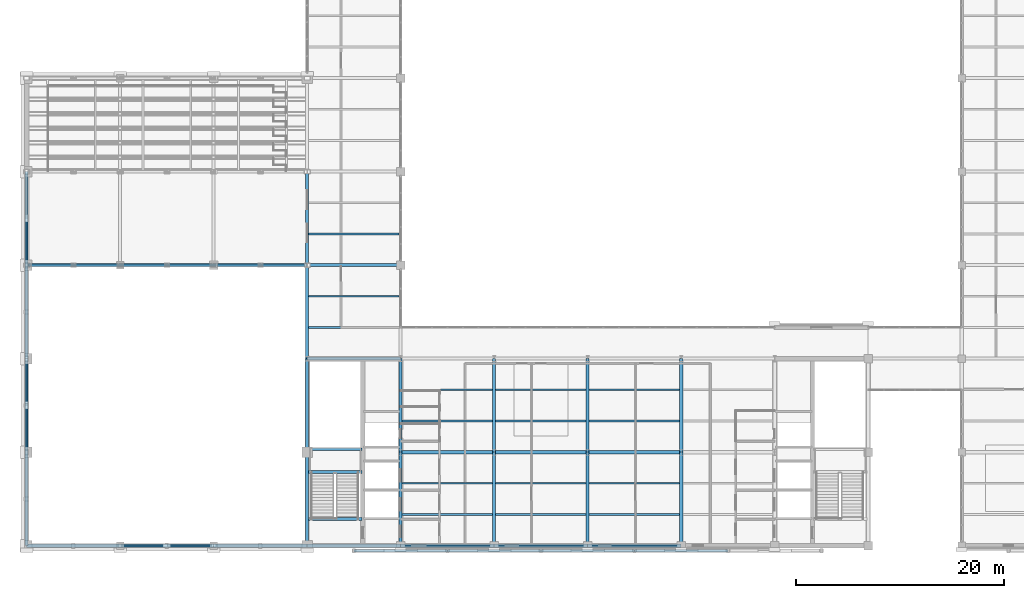
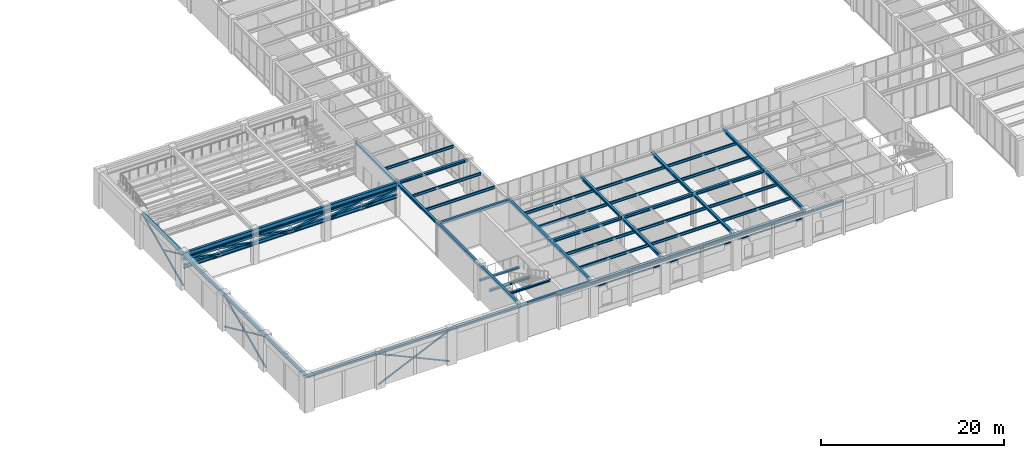
# One storey, part 15 of 92: 54 beams, 16 members.
"""IFC4 building model written with IfcOpenShell, lengths in metres."""

from ifc_helpers import new_model, si_unit, direction, frame, origin, origin_2d, place, context, subcontext, project, spatial, hollow_rectangle, hollow_circle, i_section, extrude, material, material_profile, profile_set, type_object, element, save


model = new_model("IFC4")

# Units and contexts
model_context = context("Model", 3, precision=1e-05, world=origin(), true_north=direction((0.0, 1.0)))
body_context = subcontext(model_context, "Body", "Model", "MODEL_VIEW")
ifc_project = project(units=[si_unit("LENGTHUNIT", "METRE"), si_unit("AREAUNIT", "SQUARE_METRE"), si_unit("VOLUMEUNIT", "CUBIC_METRE"), si_unit("PLANEANGLEUNIT", "RADIAN"), si_unit("MASSUNIT", "GRAM", prefix="KILO")], contexts=[model_context])

# Site, building, storey
site_placement = place(None, origin())
site = spatial("IfcSite", under=ifc_project, at=site_placement, CompositionType="ELEMENT")
building_placement = place(site_placement, origin())
building = spatial("IfcBuilding", under=site, at=building_placement, Name="Lykobir Media Centre", CompositionType="ELEMENT")
storey_placement = place(building_placement, frame((0.0, 0.0, 5.39990234375)))
storey = spatial("IfcBuildingStorey", under=building, at=storey_placement, Name="L01", CompositionType="ELEMENT", Elevation=5.39990234375)

# Beams
ifc_material = material(Name="Steel S355", Category="steel")
ifc_material_profile_1 = material_profile(ifc_material, i_section(OverallWidth=0.300048828125, OverallDepth=0.35009765625, WebThickness=0.010009765625, FlangeThickness=0.017578125, at=origin_2d()), Name="HEA 360")
ifc_profile_set_1 = profile_set([ifc_material_profile_1], Name="Steel S355")
beam_type_1 = type_object("IfcBeamType", Name="BM-HEA360", PredefinedType="BEAM", material=ifc_profile_set_1)
for number, where, z_axis, x_axis, name in (
    (1, (36.0, 0.0, 4.385009765625), (0.0, 1.0, 0.0), (-1.0, 0.0, 0.0), "Beam BM-L01-0360-0000-0360-0090-978"),
    (2, (36.0, 9.0, 4.385009765625), (0.0, 1.0, 0.0), (-1.0, 0.0, 0.0), "Beam BM-L01-0360-0090-0360-0180-978"),
    (3, (45.0, 0.0, 4.385009765625), (0.0, 1.0, 0.0), (-1.0, 0.0, 0.0), "Beam BM-L01-0450-0000-0450-0090-978"),
    (4, (45.0, 9.0, 4.385009765625), (0.0, 1.0, 0.0), (-1.0, 0.0, 0.0), "Beam BM-L01-0450-0090-0450-0180-978"),
    (5, (54.0, 0.0, 4.385009765625), (0.0, 1.0, 0.0), (-1.0, 0.0, 0.0), "Beam BM-L01-0540-0000-0540-0090-978"),
    (6, (54.0, 9.0, 4.385009765625), (0.0, 1.0, 0.0), (-1.0, 0.0, 0.0), "Beam BM-L01-0540-0090-0540-0180-978"),
    (7, (63.0, 0.0, 4.385009765625), (0.0, 1.0, 0.0), (-1.0, 0.0, 0.0), "Beam BM-L01-0630-0000-0630-0090-978"),
    (8, (63.0, 9.0, 4.385009765625), (0.0, 1.0, 0.0), (-1.0, 0.0, 0.0), "Beam BM-L01-0630-0090-0630-0180-978"),
):
    element("IfcBeam", number, at=place(storey_placement, frame(where, z_axis=z_axis, x_axis=x_axis)), inside=storey, type_object=beam_type_1, Name=name, PredefinedType="BEAM", context=body_context, shape_type="SweptSolid", body=[
        extrude(i_section(OverallWidth=0.300048828125, OverallDepth=0.35009765625, WebThickness=0.010009765625, FlangeThickness=0.017578125, at=origin_2d()), origin(), (0.0, 0.0, 1.0), 9.0),
    ])
ifc_material_profile_2 = material_profile(ifc_material, i_section(OverallWidth=0.300048828125, OverallDepth=0.389892578125, WebThickness=0.010986328125, FlangeThickness=0.01904296875, at=origin_2d()), Name="HEA 400")
ifc_profile_set_2 = profile_set([ifc_material_profile_2], Name="Steel S355")
beam_type_2 = type_object("IfcBeamType", Name="BM-HEA400", PredefinedType="BEAM", material=ifc_profile_set_2)
for number, where, z_axis, x_axis, name in (
    (9, (36.0, 9.0, 4.364990234375), (1.0, 0.0, 0.0), (0.0, 1.0, 0.0), "Beam BM-L01-0360-0090-0450-0090-976"),
    (10, (45.0, 9.0, 4.364990234375), (1.0, 0.0, 0.0), (0.0, 1.0, 0.0), "Beam BM-L01-0450-0090-0540-0090-976"),
    (11, (54.0, 9.0, 4.364990234375), (1.0, 0.0, 0.0), (0.0, 1.0, 0.0), "Beam BM-L01-0540-0090-0630-0090-976"),
):
    element("IfcBeam", number, at=place(storey_placement, frame(where, z_axis=z_axis, x_axis=x_axis)), inside=storey, type_object=beam_type_2, Name=name, PredefinedType="BEAM", context=body_context, shape_type="SweptSolid", body=[
        extrude(i_section(OverallWidth=0.300048828125, OverallDepth=0.389892578125, WebThickness=0.010986328125, FlangeThickness=0.01904296875, at=origin_2d()), origin(), (0.0, 0.0, 1.0), 9.0),
    ])
ifc_material_profile_3 = material_profile(ifc_material, i_section(OverallWidth=0.300048828125, OverallDepth=0.60009765625, WebThickness=0.015380859375, FlangeThickness=0.030029296875, at=origin_2d()), Name="HEB 600")
ifc_profile_set_3 = profile_set([ifc_material_profile_3], Name="Steel S355")
beam_type_3 = type_object("IfcBeamType", Name="BM-HEB600", PredefinedType="BEAM", material=ifc_profile_set_3)
beam_1_placement = place(storey_placement, frame((0.0, 27.0, 4.25), z_axis=(1.0, 0.0, 0.0), x_axis=(0.0, 1.0, 0.0)))
element("IfcBeam", 12, at=beam_1_placement, inside=storey, type_object=beam_type_3, Name="Beam BM-L01-0000-0270-0270-0270-965", PredefinedType="BEAM", context=body_context, shape_type="SweptSolid", body=[
    extrude(i_section(OverallWidth=0.300048828125, OverallDepth=0.60009765625, WebThickness=0.015380859375, FlangeThickness=0.030029296875, at=origin_2d()), origin(), (0.0, 0.0, 1.0), 27.0),
])
ifc_material_profile_4 = material_profile(ifc_material, i_section(OverallWidth=0.260009765625, OverallDepth=0.25, WebThickness=0.007568359375, FlangeThickness=0.012451171875, at=origin_2d()), Name="HEA 260")
ifc_profile_set_4 = profile_set([ifc_material_profile_4], Name="Steel S355")
beam_type_4 = type_object("IfcBeamType", Name="BM-ST260", PredefinedType="BEAM", material=ifc_profile_set_4)
beam_2_placement = place(storey_placement, frame((27.1298828125, 9.280029296875, 2.080078125), z_axis=(1.0, 0.0, 0.0), x_axis=(0.0, 1.0, 0.0)))
element("IfcBeam", 13, at=beam_2_placement, inside=storey, type_object=beam_type_4, Name="ST-1 L01 half-landing support beam", PredefinedType="BEAM", context=body_context, shape_type="SweptSolid", body=[
    extrude(i_section(OverallWidth=0.260009765625, OverallDepth=0.25, WebThickness=0.007568359375, FlangeThickness=0.012451171875, at=origin_2d()), origin(), (0.0, 0.0, 1.0), 5.14013671875),
])
ifc_material_profile_5 = material_profile(ifc_material, i_section(OverallWidth=0.280029296875, OverallDepth=0.27001953125, WebThickness=0.008056640625, FlangeThickness=0.012939453125, at=origin_2d()), Name="HEA 280")
ifc_profile_set_5 = profile_set([ifc_material_profile_5], Name="Steel S355")
beam_type_5 = type_object("IfcBeamType", Name="BM-ST280", PredefinedType="BEAM", material=ifc_profile_set_5)
for number, where, z_axis, x_axis, name in (
    (14, (27.1298828125, 2.580078125, 4.425048828125), (1.0, 0.0, 0.0), (0.0, 1.0, 0.0), "ST-1 L01 arrival trimmer beam"),
    (15, (27.1298828125, 7.080078125, 2.070068359375), (1.0, 0.0, 0.0), (0.0, 1.0, 0.0), "ST-1 L01 mid-landing trimmer beam"),
):
    element("IfcBeam", number, at=place(storey_placement, frame(where, z_axis=z_axis, x_axis=x_axis)), inside=storey, type_object=beam_type_5, Name=name, PredefinedType="BEAM", context=body_context, shape_type="SweptSolid", body=[
        extrude(i_section(OverallWidth=0.280029296875, OverallDepth=0.27001953125, WebThickness=0.008056640625, FlangeThickness=0.012939453125, at=origin_2d()), origin(), (0.0, 0.0, 1.0), 5.14013671875),
    ])

# Members
ifc_material_profile_6 = material_profile(ifc_material, hollow_circle(Radius=0.096923828125, WallThickness=0.010009765625, at=origin_2d()), Name="CHS 193.7x10.0")
ifc_profile_set_6 = profile_set([ifc_material_profile_6], Name="Steel S355")
member_type_1 = type_object("IfcMemberType", Name="BR-CHS194-E", PredefinedType="BRACE", material=ifc_profile_set_6)
for number, where, z_axis, x_axis, name in (
    (16, (0.0, 18.0, 0.1201171875), (0.0, -0.909254600078, 0.416240401976), (1.0, 0.0, 0.0), "Diagonal brace MEM2-L01-0000-0180-0055-0000-0136-0519"),
    (17, (0.0, 13.3544921875, 2.24658203125), (0.0, -0.909254600078, 0.416240401976), (1.0, 0.0, 0.0), "Diagonal brace MEM2-L01-0000-0134-0076-0000-0090-0520"),
    (18, (0.0, 31.3544921875, 2.24658203125), (0.0, -0.909254600078, 0.416240401976), (1.0, 0.0, 0.0), "Diagonal brace MEM2-L01-0000-0314-0076-0000-0270-0532"),
    (19, (18.0, 0.0, 0.1201171875), (-0.909254600078, 0.0, 0.416240401976), (0.0, -1.0, 0.0), "Diagonal brace MEM2-L01-0180-0000-0055-0136-0000-0555"),
    (20, (13.3544921875, 0.0, 2.24658203125), (-0.909254600078, 0.0, 0.416240401976), (0.0, -1.0, 0.0), "Diagonal brace MEM2-L01-0134-0000-0076-0090-0000-0556"),
):
    element("IfcMember", number, at=place(storey_placement, frame(where, z_axis=z_axis, x_axis=x_axis)), inside=storey, type_object=member_type_1, Name=name, PredefinedType="BRACE", context=body_context, shape_type="SweptSolid", body=[
        extrude(hollow_circle(Radius=0.096923828125, WallThickness=0.010009765625, at=origin_2d()), origin(), (0.0, 0.0, 1.0), 4.7890625),
    ])
ifc_material_profile_7 = material_profile(ifc_material, hollow_circle(Radius=0.109619140625, WallThickness=0.012451171875, at=origin_2d()), Name="CHS 219.1x12.5")
ifc_profile_set_7 = profile_set([ifc_material_profile_7], Name="Steel S355")
member_type_2 = type_object("IfcMemberType", Name="BR-CHS219-E", PredefinedType="BRACE", material=ifc_profile_set_7)
for number, where, z_axis, x_axis, name in (
    (21, (0.0, 9.0, 0.1201171875), (0.0, 0.909260911954, 0.416226613748), (-1.0, 0.0, 0.0), "Diagonal brace MEM2-L01-0000-0090-0055-0000-0180-0518"),
    (22, (0.0, 27.0, 0.1201171875), (0.0, 0.909260911954, 0.416226613748), (-1.0, 0.0, 0.0), "Diagonal brace MEM2-L01-0000-0270-0055-0000-0360-0530"),
    (23, (9.0, 0.0, 0.1201171875), (0.909260911954, 0.0, 0.416226613748), (0.0, 1.0, 0.0), "Diagonal brace MEM2-L01-0090-0000-0055-0180-0000-0554"),
):
    element("IfcMember", number, at=place(storey_placement, frame(where, z_axis=z_axis, x_axis=x_axis)), inside=storey, type_object=member_type_2, Name=name, PredefinedType="BRACE", context=body_context, shape_type="SweptSolid", body=[
        extrude(hollow_circle(Radius=0.109619140625, WallThickness=0.012451171875, at=origin_2d()), origin(), (0.0, 0.0, 1.0), 9.898193359375),
    ])
ifc_material_profile_8 = material_profile(ifc_material, hollow_rectangle(XDim=0.25, YDim=0.25, WallThickness=0.012451171875, at=origin_2d()), Name="SHS 250x250x12.5")
ifc_profile_set_8 = profile_set([ifc_material_profile_8], Name="Steel S355")
member_type_3 = type_object("IfcMemberType", Name="BR-SHS250", PredefinedType="BRACE", material=ifc_profile_set_8)
for number, where, z_axis, x_axis, name in (
    (24, (0.0, 27.0, 3.650146484375), (0.978436429829, 0.0, -0.206548185138), (0.0, 1.0, 0.0), "Diagonal brace MEM2-L01-0000-0270-0090-0045-0270-0060"),
    (25, (4.5, 27.0, 3.650146484375), (0.978436429829, 0.0, -0.206548185138), (0.0, 1.0, 0.0), "Diagonal brace MEM2-L01-0045-0270-0090-0090-0270-0061"),
    (26, (9.0, 27.0, 3.650146484375), (0.978436429829, 0.0, -0.206548185138), (0.0, 1.0, 0.0), "Diagonal brace MEM2-L01-0090-0270-0090-0135-0270-0063"),
    (27, (13.5, 27.0, 2.7001953125), (0.978436429829, 0.0, 0.206548185138), (0.0, 1.0, 0.0), "Diagonal brace MEM2-L01-0135-0270-0081-0180-0270-0065"),
    (28, (18.0, 27.0, 2.7001953125), (0.978436429829, 0.0, 0.206548185138), (0.0, 1.0, 0.0), "Diagonal brace MEM2-L01-0180-0270-0081-0225-0270-0067"),
    (29, (22.5, 27.0, 2.7001953125), (0.978436429829, 0.0, 0.206548185138), (0.0, 1.0, 0.0), "Diagonal brace MEM2-L01-0225-0270-0081-0270-0270-0069"),
):
    element("IfcMember", number, at=place(storey_placement, frame(where, z_axis=z_axis, x_axis=x_axis)), inside=storey, type_object=member_type_3, Name=name, PredefinedType="BRACE", context=body_context, shape_type="SweptSolid", body=[
        extrude(hollow_rectangle(XDim=0.25, YDim=0.25, WallThickness=0.012451171875, at=origin_2d()), origin(), (0.0, 0.0, 1.0), 4.59912109375),
    ])

# Beams
ifc_material_profile_9 = material_profile(ifc_material, i_section(OverallWidth=0.169921875, OverallDepth=0.360107421875, WebThickness=0.008056640625, FlangeThickness=0.0126953125, at=origin_2d()), Name="IPE 360")
ifc_profile_set_9 = profile_set([ifc_material_profile_9], Name="Steel S355")
beam_type_6 = type_object("IfcBeamType", Name="JS-IPE360", PredefinedType="JOIST", material=ifc_profile_set_9)
for number, where, z_axis, x_axis, name in (
    (30, (27.14990234375, 21.0, 4.380126953125), (1.0, 0.0, 0.0), (0.0, 1.0, 0.0), "Beam BM-L01-0272-0210-0358-0210-978"),
    (31, (27.14990234375, 24.0, 4.380126953125), (1.0, 0.0, 0.0), (0.0, 1.0, 0.0), "Beam BM-L01-0272-0240-0358-0240-978"),
    (32, (27.14990234375, 30.0, 4.380126953125), (1.0, 0.0, 0.0), (0.0, 1.0, 0.0), "Beam BM-L01-0272-0300-0358-0300-978"),
    (33, (36.14990234375, 3.0, 4.380126953125), (1.0, 0.0, 0.0), (0.0, 1.0, 0.0), "Beam BM-L01-0362-0030-0448-0030-978"),
    (34, (36.14990234375, 6.0, 4.380126953125), (1.0, 0.0, 0.0), (0.0, 1.0, 0.0), "Beam BM-L01-0362-0060-0448-0060-978"),
    (35, (36.14990234375, 12.0, 4.380126953125), (1.0, 0.0, 0.0), (0.0, 1.0, 0.0), "Beam BM-L01-0362-0120-0448-0120-978"),
    (36, (36.14990234375, 15.0, 4.380126953125), (1.0, 0.0, 0.0), (0.0, 1.0, 0.0), "Beam BM-L01-0362-0150-0448-0150-978"),
    (37, (45.14990234375, 3.0, 4.380126953125), (1.0, 0.0, 0.0), (0.0, 1.0, 0.0), "Beam BM-L01-0452-0030-0538-0030-978"),
    (38, (45.14990234375, 6.0, 4.380126953125), (1.0, 0.0, 0.0), (0.0, 1.0, 0.0), "Beam BM-L01-0452-0060-0538-0060-978"),
    (39, (45.14990234375, 12.0, 4.380126953125), (1.0, 0.0, 0.0), (0.0, 1.0, 0.0), "Beam BM-L01-0452-0120-0538-0120-978"),
    (40, (45.14990234375, 15.0, 4.380126953125), (1.0, 0.0, 0.0), (0.0, 1.0, 0.0), "Beam BM-L01-0452-0150-0538-0150-978"),
    (41, (54.14990234375, 3.0, 4.380126953125), (1.0, 0.0, 0.0), (0.0, 1.0, 0.0), "Beam BM-L01-0542-0030-0628-0030-978"),
    (42, (54.14990234375, 6.0, 4.380126953125), (1.0, 0.0, 0.0), (0.0, 1.0, 0.0), "Beam BM-L01-0542-0060-0628-0060-978"),
    (43, (54.14990234375, 12.0, 4.380126953125), (1.0, 0.0, 0.0), (0.0, 1.0, 0.0), "Beam BM-L01-0542-0120-0628-0120-978"),
    (44, (54.14990234375, 15.0, 4.380126953125), (1.0, 0.0, 0.0), (0.0, 1.0, 0.0), "Beam BM-L01-0542-0150-0628-0150-978"),
):
    element("IfcBeam", number, at=place(storey_placement, frame(where, z_axis=z_axis, x_axis=x_axis)), inside=storey, type_object=beam_type_6, Name=name, PredefinedType="JOIST", context=body_context, shape_type="SweptSolid", body=[
        extrude(i_section(OverallWidth=0.169921875, OverallDepth=0.360107421875, WebThickness=0.008056640625, FlangeThickness=0.0126953125, at=origin_2d()), origin(), (0.0, 0.0, 1.0), 8.7001953125),
    ])
ifc_material_profile_10 = material_profile(ifc_material, i_section(OverallWidth=0.091064453125, OverallDepth=0.179931640625, WebThickness=0.00537109375, FlangeThickness=0.008056640625, at=origin_2d()), Name="IPE 180")
ifc_profile_set_10 = profile_set([ifc_material_profile_10], Name="Steel S355")
beam_type_7 = type_object("IfcBeamType", Name="LN-IPE180-E", PredefinedType="LINTEL", material=ifc_profile_set_10)
for number, where, z_axis, x_axis, name in (
    (45, (36.39990234375, 0.0, 3.60009765625), (1.0, 0.0, 0.0), (0.0, 1.0, 0.0), "Beam BM-L01-0364-0000-0446-0000-900"),
    (46, (45.39990234375, 0.0, 3.60009765625), (1.0, 0.0, 0.0), (0.0, 1.0, 0.0), "Beam BM-L01-0454-0000-0536-0000-900"),
    (47, (54.39990234375, 0.0, 3.60009765625), (1.0, 0.0, 0.0), (0.0, 1.0, 0.0), "Beam BM-L01-0544-0000-0626-0000-900"),
):
    element("IfcBeam", number, at=place(storey_placement, frame(where, z_axis=z_axis, x_axis=x_axis)), inside=storey, type_object=beam_type_7, Name=name, PredefinedType="LINTEL", context=body_context, shape_type="SweptSolid", body=[
        extrude(i_section(OverallWidth=0.091064453125, OverallDepth=0.179931640625, WebThickness=0.00537109375, FlangeThickness=0.008056640625, at=origin_2d()), origin(), (0.0, 0.0, 1.0), 8.2001953125),
    ])
ifc_material_profile_11 = material_profile(ifc_material, i_section(OverallWidth=0.239990234375, OverallDepth=0.22998046875, WebThickness=0.007568359375, FlangeThickness=0.011962890625, at=origin_2d()), Name="HEA 240")
ifc_profile_set_11 = profile_set([ifc_material_profile_11], Name="Steel S355")
beam_type_8 = type_object("IfcBeamType", Name="SP-HEA240-E", PredefinedType="SPANDREL", material=ifc_profile_set_11)
for number, where, z_axis, x_axis, name in (
    (48, (31.5, -0.47998046875, 4.4951171875), (1.0, 0.0, 0.0), (0.0, 1.0, 0.0), "Beam BM-L01-0315--005-0405--005-990"),
    (49, (40.5, -0.47998046875, 4.4951171875), (1.0, 0.0, 0.0), (0.0, 1.0, 0.0), "Beam BM-L01-0405--005-0495--005-990"),
    (50, (49.5, -0.47998046875, 4.4951171875), (1.0, 0.0, 0.0), (0.0, 1.0, 0.0), "Beam BM-L01-0495--005-0585--005-990"),
    (51, (58.5, -0.47998046875, 4.4951171875), (1.0, 0.0, 0.0), (0.0, 1.0, 0.0), "Beam BM-L01-0585--005-0675--005-990"),
):
    element("IfcBeam", number, at=place(storey_placement, frame(where, z_axis=z_axis, x_axis=x_axis)), inside=storey, type_object=beam_type_8, Name=name, PredefinedType="SPANDREL", context=body_context, shape_type="SweptSolid", body=[
        extrude(i_section(OverallWidth=0.239990234375, OverallDepth=0.22998046875, WebThickness=0.007568359375, FlangeThickness=0.011962890625, at=origin_2d()), origin(), (0.0, 0.0, 1.0), 9.0),
    ])
ifc_material_profile_12 = material_profile(ifc_material, i_section(OverallWidth=0.300048828125, OverallDepth=0.35009765625, WebThickness=0.010009765625, FlangeThickness=0.017578125, at=origin_2d()), Name="HEA 360")
ifc_profile_set_12 = profile_set([ifc_material_profile_12], Name="Steel S355")
beam_type_9 = type_object("IfcBeamType", Name="SP-HEA360", PredefinedType="SPANDREL", material=ifc_profile_set_12)
for number, where, z_axis, x_axis, name in (
    (52, (27.0, 18.0, 4.385009765625), (1.0, 0.0, 0.0), (0.0, 1.0, 0.0), "Beam BM-L01-0270-0180-0360-0180-978"),
    (53, (27.0, 27.0, 4.373046875), (1.0, 0.0, 0.0), (0.0, 1.0, 0.0), "Beam BM-L01-0270-0270-0360-0270-978"),
    (54, (27.0, 0.0, 4.385009765625), (0.0, 1.0, 0.0), (-1.0, 0.0, 0.0), "Beam BM-L01-0270-0000-0270-0090-978"),
    (55, (27.0, 9.0, 4.385009765625), (0.0, 1.0, 0.0), (-1.0, 0.0, 0.0), "Beam BM-L01-0270-0090-0270-0180-978"),
    (56, (27.0, 18.0, 4.373046875), (0.0, 1.0, 0.0), (-1.0, 0.0, 0.0), "Beam BM-L01-0270-0180-0270-0270-978"),
    (57, (27.0, 27.0, 4.375), (0.0, 1.0, 0.0), (-1.0, 0.0, 0.0), "Beam BM-L01-0270-0270-0270-0360-978"),
):
    element("IfcBeam", number, at=place(storey_placement, frame(where, z_axis=z_axis, x_axis=x_axis)), inside=storey, type_object=beam_type_9, Name=name, PredefinedType="SPANDREL", context=body_context, shape_type="SweptSolid", body=[
        extrude(i_section(OverallWidth=0.300048828125, OverallDepth=0.35009765625, WebThickness=0.010009765625, FlangeThickness=0.017578125, at=origin_2d()), origin(), (0.0, 0.0, 1.0), 9.0),
    ])
ifc_material_profile_13 = material_profile(ifc_material, i_section(OverallWidth=0.300048828125, OverallDepth=0.35009765625, WebThickness=0.010009765625, FlangeThickness=0.017578125, at=origin_2d()), Name="HEA 360")
ifc_profile_set_13 = profile_set([ifc_material_profile_13], Name="Steel S355")
beam_type_10 = type_object("IfcBeamType", Name="SP-HEA360-E", PredefinedType="SPANDREL", material=ifc_profile_set_13)
for number, where, z_axis, x_axis, name in (
    (58, (0.0, 0.0, 4.375), (1.0, 0.0, 0.0), (0.0, 1.0, 0.0), "Beam BM-L01-0000-0000-0090-0000-978"),
    (59, (9.0, 0.0, 4.375), (1.0, 0.0, 0.0), (0.0, 1.0, 0.0), "Beam BM-L01-0090-0000-0180-0000-978"),
    (60, (18.0, 0.0, 4.375), (1.0, 0.0, 0.0), (0.0, 1.0, 0.0), "Beam BM-L01-0180-0000-0270-0000-978"),
    (61, (27.0, 0.0, 4.385009765625), (1.0, 0.0, 0.0), (0.0, 1.0, 0.0), "Beam BM-L01-0270-0000-0360-0000-978"),
    (62, (36.0, 0.0, 4.385009765625), (1.0, 0.0, 0.0), (0.0, 1.0, 0.0), "Beam BM-L01-0360-0000-0450-0000-978"),
    (63, (45.0, 0.0, 4.385009765625), (1.0, 0.0, 0.0), (0.0, 1.0, 0.0), "Beam BM-L01-0450-0000-0540-0000-978"),
    (64, (54.0, 0.0, 4.385009765625), (1.0, 0.0, 0.0), (0.0, 1.0, 0.0), "Beam BM-L01-0540-0000-0630-0000-978"),
    (65, (0.0, 0.0, 4.375), (0.0, 1.0, 0.0), (-1.0, 0.0, 0.0), "Beam BM-L01-0000-0000-0000-0090-978"),
    (66, (0.0, 9.0, 4.375), (0.0, 1.0, 0.0), (-1.0, 0.0, 0.0), "Beam BM-L01-0000-0090-0000-0180-978"),
    (67, (0.0, 18.0, 4.375), (0.0, 1.0, 0.0), (-1.0, 0.0, 0.0), "Beam BM-L01-0000-0180-0000-0270-978"),
    (68, (0.0, 27.0, 4.375), (0.0, 1.0, 0.0), (-1.0, 0.0, 0.0), "Beam BM-L01-0000-0270-0000-0360-978"),
):
    element("IfcBeam", number, at=place(storey_placement, frame(where, z_axis=z_axis, x_axis=x_axis)), inside=storey, type_object=beam_type_10, Name=name, PredefinedType="SPANDREL", context=body_context, shape_type="SweptSolid", body=[
        extrude(i_section(OverallWidth=0.300048828125, OverallDepth=0.35009765625, WebThickness=0.010009765625, FlangeThickness=0.017578125, at=origin_2d()), origin(), (0.0, 0.0, 1.0), 9.0),
    ])

# Members
ifc_material_profile_14 = material_profile(ifc_material, i_section(OverallWidth=0.300048828125, OverallDepth=0.5, WebThickness=0.014404296875, FlangeThickness=0.028076171875, at=origin_2d()), Name="HEB 500")
ifc_profile_set_14 = profile_set([ifc_material_profile_14], Name="Steel S355")
member_type_4 = type_object("IfcMemberType", Name="TC-HEB500", PredefinedType="CHORD", material=ifc_profile_set_14)
member_1_placement = place(storey_placement, frame((0.0, 27.0, 2.7001953125), z_axis=(1.0, 0.0, 0.0), x_axis=(0.0, 1.0, 0.0)))
element("IfcMember", 69, at=member_1_placement, inside=storey, type_object=member_type_4, Name="Truss chord MEM2-L01-0000-0270-0081-0270-0270-0058", PredefinedType="CHORD", context=body_context, shape_type="SweptSolid", body=[
    extrude(i_section(OverallWidth=0.300048828125, OverallDepth=0.5, WebThickness=0.014404296875, FlangeThickness=0.028076171875, at=origin_2d()), origin(), (0.0, 0.0, 1.0), 27.0),
])
ifc_material_profile_15 = material_profile(ifc_material, hollow_rectangle(XDim=0.199951171875, YDim=0.300048828125, WallThickness=0.012451171875, at=origin_2d()), Name="RHS 300x200x12.5")
ifc_profile_set_15 = profile_set([ifc_material_profile_15], Name="Steel S355")
member_type_5 = type_object("IfcMemberType", Name="TC-RHS300", PredefinedType="CHORD", material=ifc_profile_set_15)
member_2_placement = place(storey_placement, frame((0.0, 27.0, 3.650146484375), z_axis=(1.0, 0.0, 0.0), x_axis=(0.0, 1.0, 0.0)))
element("IfcMember", 70, at=member_2_placement, inside=storey, type_object=member_type_5, Name="Truss chord MEM2-L01-0000-0270-0090-0270-0270-0059", PredefinedType="CHORD", context=body_context, shape_type="SweptSolid", body=[
    extrude(hollow_rectangle(XDim=0.199951171875, YDim=0.300048828125, WallThickness=0.012451171875, at=origin_2d()), origin(), (0.0, 0.0, 1.0), 27.0),
])

save(model, "model.ifc")
